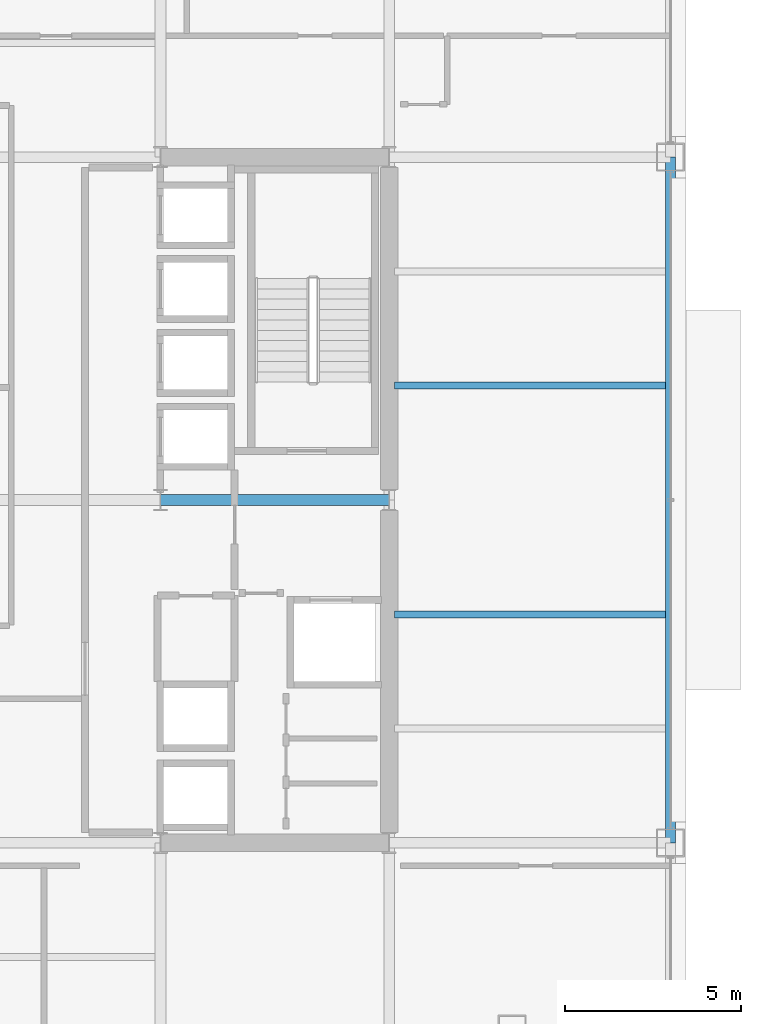
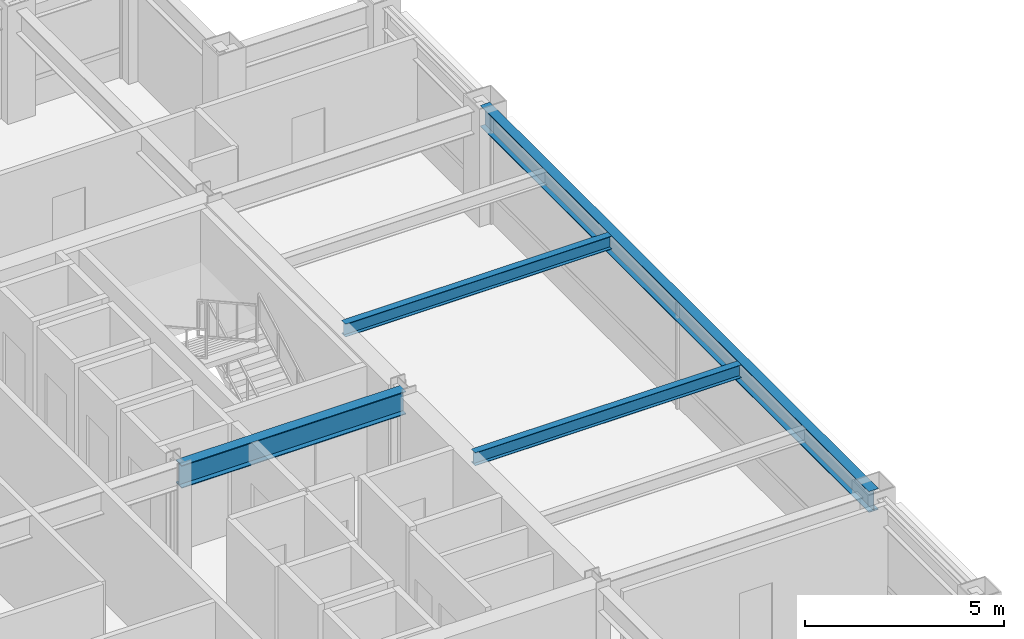
# One storey, part 14 of 28: 4 beams.
"""IFC4 building model written with IfcOpenShell, lengths in metres."""

from ifc_helpers import new_model, si_unit, direction, frame, origin, origin_2d, place, context, subcontext, project, spatial, i_section, extrude, material, material_profile, profile_set, type_object, element, save


model = new_model("IFC4")

# Units and contexts
model_context = context("Model", 3, precision=1e-05, world=origin(), true_north=direction((0.0, 1.0)))
body_context = subcontext(model_context, "Body", "Model", "MODEL_VIEW")
ifc_project = project(units=[si_unit("LENGTHUNIT", "METRE"), si_unit("AREAUNIT", "SQUARE_METRE"), si_unit("VOLUMEUNIT", "CUBIC_METRE"), si_unit("PLANEANGLEUNIT", "RADIAN"), si_unit("MASSUNIT", "GRAM", prefix="KILO")], contexts=[model_context])

# Site, building, storey
site_placement = place(None, origin())
site = spatial("IfcSite", under=ifc_project, at=site_placement, CompositionType="ELEMENT")
building_placement = place(site_placement, origin())
building = spatial("IfcBuilding", under=site, at=building_placement, Name="Brelmoor Portico Tower", CompositionType="ELEMENT")
storey_placement = place(building_placement, frame((0.0, 0.0, 142.199951171875)))
storey = spatial("IfcBuildingStorey", under=building, at=storey_placement, Name="L37", CompositionType="ELEMENT", Elevation=142.199951171875)

# Beams
ifc_material = material(Name="Steel Q355B", Category="steel")
ifc_material_profile_1 = material_profile(ifc_material, i_section(OverallWidth=0.199951171875, OverallDepth=0.39990234375, WebThickness=0.008056640625, FlangeThickness=0.012939453125, at=origin_2d()), Name="HN 400x200x8x13")
ifc_profile_set_1 = profile_set([ifc_material_profile_1], Name="Steel Q355B")
beam_type_1 = type_object("IfcBeamType", Name="BM-JS-400", PredefinedType="JOIST", material=ifc_profile_set_1)
for number, where, z_axis, x_axis, name in (
    (1, (14.699951171875, -3.25, 3.199951171875), (1.0, 0.0, 0.0), (0.0, 1.0, 0.0), "L37 Secondary Wing Joist JS-E10"),
    (2, (14.699951171875, 3.25, 3.199951171875), (1.0, 0.0, 0.0), (0.0, 1.0, 0.0), "L37 Secondary Wing Joist JS-E11"),
):
    element("IfcBeam", number, at=place(storey_placement, frame(where, z_axis=z_axis, x_axis=x_axis)), inside=storey, type_object=beam_type_1, Name=name, PredefinedType="JOIST", context=body_context, shape_type="SweptSolid", body=[
        extrude(i_section(OverallWidth=0.199951171875, OverallDepth=0.39990234375, WebThickness=0.008056640625, FlangeThickness=0.012939453125, at=origin_2d()), origin(), (0.0, 0.0, 1.0), 7.7099609375),
    ])
ifc_material_profile_2 = material_profile(ifc_material, i_section(OverallWidth=0.300048828125, OverallDepth=0.699951171875, WebThickness=0.012939453125, FlangeThickness=0.02392578125, at=origin_2d()), Name="HN 700x300x13x24")
ifc_profile_set_2 = profile_set([ifc_material_profile_2], Name="Steel Q355B")
beam_type_2 = type_object("IfcBeamType", Name="BM-PG-700", PredefinedType="BEAM", material=ifc_profile_set_2)
beam_1_placement = place(storey_placement, frame((8.050048828125, 0.0, 3.050048828125), z_axis=(1.0, 0.0, 0.0), x_axis=(0.0, 1.0, 0.0)))
element("IfcBeam", 3, at=beam_1_placement, inside=storey, type_object=beam_type_2, Name="L37 Primary Floor Girder PG-21", PredefinedType="BEAM", context=body_context, shape_type="SweptSolid", body=[
    extrude(i_section(OverallWidth=0.300048828125, OverallDepth=0.699951171875, WebThickness=0.012939453125, FlangeThickness=0.02392578125, at=origin_2d()), origin(), (0.0, 0.0, 1.0), 6.5),
])
ifc_material_profile_3 = material_profile(ifc_material, i_section(OverallWidth=0.280029296875, OverallDepth=0.64990234375, WebThickness=0.012939453125, FlangeThickness=0.02197265625, at=origin_2d()), Name="HN 650x280x13x22")
ifc_profile_set_3 = profile_set([ifc_material_profile_3], Name="Steel Q355B")
beam_type_3 = type_object("IfcBeamType", Name="BM-SP-650", PredefinedType="SPANDREL", material=ifc_profile_set_3)
beam_2_placement = place(storey_placement, frame((22.550048828125, -9.75, 3.074951171875), z_axis=(0.0, 1.0, 0.0), x_axis=(-1.0, 0.0, 0.0)))
element("IfcBeam", 4, at=beam_2_placement, inside=storey, type_object=beam_type_3, Name="L37 Perimeter Spandrel Beam SP-23", PredefinedType="SPANDREL", context=body_context, shape_type="SweptSolid", body=[
    extrude(i_section(OverallWidth=0.280029296875, OverallDepth=0.64990234375, WebThickness=0.012939453125, FlangeThickness=0.02197265625, at=origin_2d()), origin(), (0.0, 0.0, 1.0), 19.5),
])

save(model, "model.ifc")
